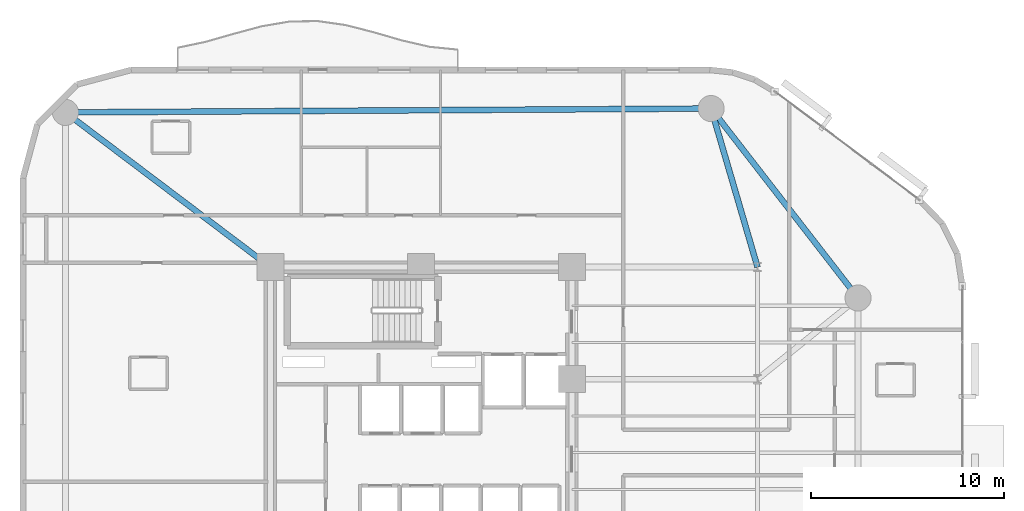
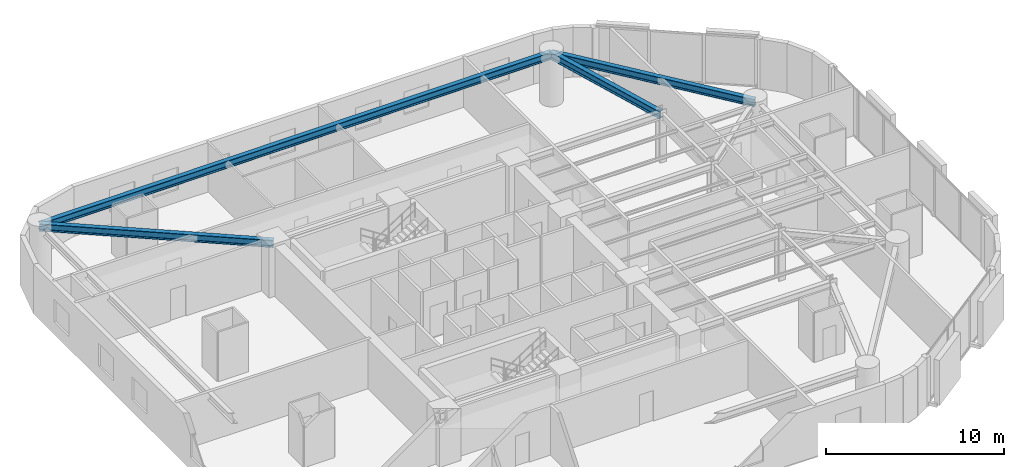
# One storey, part 7 of 16: 4 beams.
"""IFC4 building model written with IfcOpenShell, lengths in metres."""

from ifc_helpers import new_model, si_unit, direction, frame, origin, origin_2d, place, context, subcontext, project, spatial, i_section, extrude, material, material_profile, profile_set, type_object, element, save


model = new_model("IFC4")

# Units and contexts
model_context = context("Model", 3, precision=1e-05, world=origin(), true_north=direction((0.0, 1.0)))
body_context = subcontext(model_context, "Body", "Model", "MODEL_VIEW")
ifc_project = project(units=[si_unit("LENGTHUNIT", "METRE"), si_unit("AREAUNIT", "SQUARE_METRE"), si_unit("VOLUMEUNIT", "CUBIC_METRE"), si_unit("PLANEANGLEUNIT", "RADIAN"), si_unit("MASSUNIT", "GRAM", prefix="KILO")], contexts=[model_context])

# Site, building, storey
site_placement = place(None, origin())
site = spatial("IfcSite", under=ifc_project, at=site_placement, CompositionType="ELEMENT")
building_placement = place(site_placement, origin())
building = spatial("IfcBuilding", under=site, at=building_placement, Name="An Khanh Terracotta Commons", CompositionType="ELEMENT")
storey_placement = place(building_placement, frame((0.0, 0.0, 107.89990234375)))
storey = spatial("IfcBuildingStorey", under=building, at=storey_placement, Name="L28", CompositionType="ELEMENT", Elevation=107.89990234375)

# Beams
ifc_material = material(Name="Steel S355J2", Category="steel")
ifc_material_profile = material_profile(ifc_material, i_section(OverallWidth=0.300048828125, OverallDepth=0.5, WebThickness=0.014404296875, FlangeThickness=0.028076171875, FilletRadius=0.027099609375, at=origin_2d()), Name="HEB500")
ifc_profile_set = profile_set([ifc_material_profile], Name="Steel S355J2")
beam_type = type_object("IfcBeamType", Name="BM-HEB500", PredefinedType="BEAM", material=ifc_profile_set)
beam_1_placement = place(storey_placement, frame((52.0, 32.0, 3.150146484375), z_axis=(-0.612826529795, 0.790217466511, 0.0), x_axis=(-0.790217466511, -0.612826529795, 0.0)))
element("IfcBeam", 1, at=beam_1_placement, inside=storey, type_object=beam_type, Name="L28 Perimeter Ring Spandrel 4", PredefinedType="BEAM", context=body_context, shape_type="SweptSolid", body=[
    extrude(i_section(OverallWidth=0.300048828125, OverallDepth=0.5, WebThickness=0.014404296875, FlangeThickness=0.028076171875, FilletRadius=0.027099609375, at=origin_2d()), origin(), (0.0, 0.0, 1.0), 12.401611328125),
])
beam_2_placement = place(storey_placement, frame((44.39990234375, 41.800048828125, 3.150146484375), z_axis=(-0.999982080914, -0.005986472262, 0.0), x_axis=(0.005986472262, -0.999982080914, 0.0)))
element("IfcBeam", 2, at=beam_2_placement, inside=storey, type_object=beam_type, Name="L28 Perimeter Ring Spandrel 5", PredefinedType="BEAM", context=body_context, shape_type="SweptSolid", body=[
    extrude(i_section(OverallWidth=0.300048828125, OverallDepth=0.5, WebThickness=0.014404296875, FlangeThickness=0.028076171875, FilletRadius=0.027099609375, at=origin_2d()), origin(), (0.0, 0.0, 1.0), 33.400390625),
])
beam_3_placement = place(storey_placement, frame((44.39990234375, 41.800048828125, 3.150146484375), z_axis=(0.280916085823, -0.959732333896, 0.0), x_axis=(0.959732333896, 0.280916085823, 0.0)))
element("IfcBeam", 3, at=beam_3_placement, inside=storey, type_object=beam_type, Name="L28 Mega-Column Tie Girder 5", PredefinedType="BEAM", context=body_context, shape_type="SweptSolid", body=[
    extrude(i_section(OverallWidth=0.300048828125, OverallDepth=0.5, WebThickness=0.014404296875, FlangeThickness=0.028076171875, FilletRadius=0.027099609375, at=origin_2d()), origin(), (0.0, 0.0, 1.0), 8.5439453125),
])
beam_4_placement = place(storey_placement, frame((11.0, 41.60009765625, 3.150146484375), z_axis=(0.798191818888, -0.602403370061, 0.0), x_axis=(0.602403370061, 0.798191818888, 0.0)))
element("IfcBeam", 4, at=beam_4_placement, inside=storey, type_object=beam_type, Name="L28 Mega-Column Tie Girder 6", PredefinedType="BEAM", context=body_context, shape_type="SweptSolid", body=[
    extrude(i_section(OverallWidth=0.300048828125, OverallDepth=0.5, WebThickness=0.014404296875, FlangeThickness=0.028076171875, FilletRadius=0.027099609375, at=origin_2d()), origin(), (0.0, 0.0, 1.0), 13.280029296875),
])

save(model, "model.ifc")
